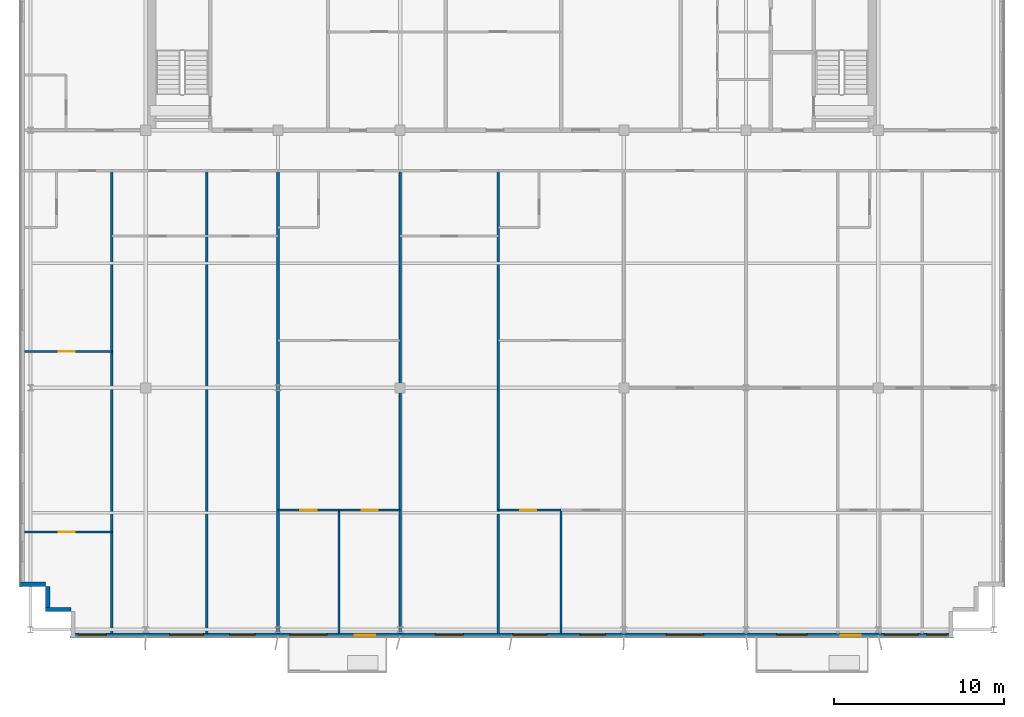
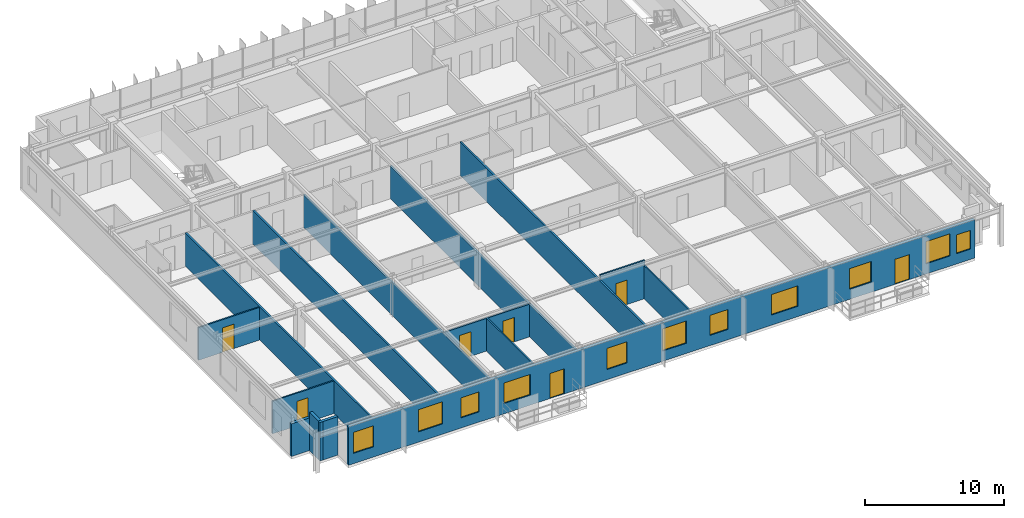
# One storey, part 16 of 23: 16 walls, 11 windows, 7 doors, 18 openings.
"""IFC4 building model written with IfcOpenShell, lengths in metres."""

from ifc_helpers import new_model, si_unit, direction, frame, frame_2d, origin, place, context, subcontext, project, spatial, rectangle, extrude, source, transform, mapped, material, layer, layer_set, type_object, element, fill, save


model = new_model("IFC4")

# Units and contexts
model_context = context("Model", 3, precision=1e-05, world=origin(), true_north=direction((0.0, 1.0)))
body_context = subcontext(model_context, "Body", "Model", "MODEL_VIEW")
ifc_project = project(units=[si_unit("LENGTHUNIT", "METRE"), si_unit("AREAUNIT", "SQUARE_METRE"), si_unit("VOLUMEUNIT", "CUBIC_METRE"), si_unit("PLANEANGLEUNIT", "RADIAN"), si_unit("MASSUNIT", "GRAM", prefix="KILO")], contexts=[model_context])

# Site, building, storey
site_placement = place(None, origin())
site = spatial("IfcSite", under=ifc_project, at=site_placement, CompositionType="ELEMENT")
building_placement = place(site_placement, origin())
building = spatial("IfcBuilding", under=site, at=building_placement, Name="Trelvane Seafront Commons", CompositionType="ELEMENT")
storey_placement = place(building_placement, frame((0.0, 0.0, 259.5)))
storey = spatial("IfcBuildingStorey", under=building, at=storey_placement, Name="L67", CompositionType="ELEMENT", Elevation=259.5)

# Walls
ifc_material_1 = material(Name="Precast concrete C40/50", Category="concrete")
ifc_layer_1 = layer(ifc_material_1, 0.239990234375, Name="ARCH-WALL-EXT240")
ifc_layer_set_1 = layer_set([ifc_layer_1], Name="Precast concrete C40/50")
wall_type_1 = type_object("IfcWallType", Name="ARCH-WALL-EXT240", PredefinedType="SOLIDWALL", material=ifc_layer_set_1)
for number, where, z_axis, x_axis, name in (
    (1, (11.199951171875, 5.1201171875, 0.0), (0.0, 0.0, 1.0), (-1.0, 0.0, 0.0), "EW-L67-01342"),
    (2, (9.820068359375, 5.0, 0.0), (0.0, 0.0, 1.0), (0.0, 1.0, 0.0), "EW-L67-01343"),
):
    element("IfcWall", number, at=place(storey_placement, frame(where, z_axis=z_axis, x_axis=x_axis)), inside=storey, type_object=wall_type_1, Name=name, PredefinedType="SOLIDWALL", context=body_context, shape_type="SweptSolid", body=[
        extrude(rectangle(XDim=1.5, YDim=0.239990234375, at=frame_2d((0.75, 0.0))), origin(), (0.0, 0.0, 1.0), 3.3701171875),
    ])
wall_1_placement = place(storey_placement, frame((9.699951171875, 6.6201171875, 0.0), z_axis=(0.0, 0.0, 1.0), x_axis=(-1.0, 0.0, 0.0)))
element("IfcWall", 3, at=wall_1_placement, inside=storey, type_object=wall_type_1, Name="EW-L67-01344", PredefinedType="SOLIDWALL", context=body_context, shape_type="SweptSolid", body=[
    extrude(rectangle(XDim=1.5, YDim=0.239990234375, at=frame_2d((0.75, 0.0))), origin(), (0.0, 0.0, 1.0), 2.8701171875),
])

# Wall, openings, windows, doors
wall_2_placement = place(storey_placement, frame((63.199951171875, 3.6201171875, 0.0), z_axis=(0.0, 0.0, 1.0), x_axis=(-1.0, 0.0, 0.0)))
wall_2 = element("IfcWall", 4, at=wall_2_placement, inside=storey, type_object=wall_type_1, Name="EW-L67-01359", PredefinedType="SOLIDWALL", context=body_context, shape_type="SweptSolid", body=[
    extrude(rectangle(XDim=52.0, YDim=0.239990234375, at=frame_2d((26.0, 0.0))), origin(), (0.0, 0.0, 1.0), 3.3701171875),
])
opening_1_placement = place(wall_2_placement, frame((0.344970703125, 0.0, 0.89990234375)))
opening_1 = element("IfcOpeningElement", 5, at=opening_1_placement, cuts=wall_2, Name="Opening W05", PredefinedType="OPENING", context=body_context, shape_type="SweptSolid", body=[
    extrude(rectangle(XDim=1.199951171875, YDim=1.64990234375, at=frame_2d((0.60009765625, 0.824951171875))), frame((0.0, 0.1298828125, 0.0), z_axis=(0.0, -1.0, 0.0), x_axis=(1.0, 0.0, 0.0)), (0.0, 0.0, 1.0), 0.260009765625),
])
opening_2_placement = place(wall_2_placement, frame((2.050048828125, 0.0, 0.89990234375)))
opening_2 = element("IfcOpeningElement", 6, at=opening_2_placement, cuts=wall_2, Name="Opening W06", PredefinedType="OPENING", context=body_context, shape_type="SweptSolid", body=[
    extrude(rectangle(XDim=2.0, YDim=1.949951171875, at=frame_2d((1.0, 0.97509765625))), frame((0.0, 0.1298828125, 0.0), z_axis=(0.0, -1.0, 0.0), x_axis=(1.0, 0.0, 0.0)), (0.0, 0.0, 1.0), 0.260009765625),
])
opening_3_placement = place(wall_2_placement, frame((5.419921875, 0.0, 0.0)))
opening_3 = element("IfcOpeningElement", 7, at=opening_3_placement, cuts=wall_2, Name="Opening BD-L67-136", PredefinedType="OPENING", context=body_context, shape_type="SweptSolid", body=[
    extrude(rectangle(XDim=1.199951171875, YDim=2.199951171875, at=frame_2d((0.60009765625, 1.10009765625))), frame((0.0, 0.1298828125, 0.0), z_axis=(0.0, -1.0, 0.0), x_axis=(1.0, 0.0, 0.0)), (0.0, 0.0, 1.0), 0.260009765625),
])
opening_4_placement = place(wall_2_placement, frame((8.60009765625, 0.0, 0.89990234375)))
opening_4 = element("IfcOpeningElement", 8, at=opening_4_placement, cuts=wall_2, Name="Opening W01", PredefinedType="OPENING", context=body_context, shape_type="SweptSolid", body=[
    extrude(rectangle(XDim=1.800048828125, YDim=1.800048828125, at=frame_2d((0.89990234375, 0.89990234375))), frame((0.0, 0.1298828125, 0.0), z_axis=(0.0, -1.0, 0.0), x_axis=(1.0, 0.0, 0.0)), (0.0, 0.0, 1.0), 0.260009765625),
])
opening_5_placement = place(wall_2_placement, frame((14.699951171875, 0.0, 0.89990234375)))
opening_5 = element("IfcOpeningElement", 9, at=opening_5_placement, cuts=wall_2, Name="Opening W02", PredefinedType="OPENING", context=body_context, shape_type="SweptSolid", body=[
    extrude(rectangle(XDim=2.199951171875, YDim=1.800048828125, at=frame_2d((1.10009765625, 0.89990234375))), frame((0.0, 0.1298828125, 0.0), z_axis=(0.0, -1.0, 0.0), x_axis=(1.0, 0.0, 0.0)), (0.0, 0.0, 1.0), 0.260009765625),
])
opening_6_placement = place(wall_2_placement, frame((20.5, 0.0, 0.89990234375)))
opening_6 = element("IfcOpeningElement", 10, at=opening_6_placement, cuts=wall_2, Name="Opening W03", PredefinedType="OPENING", context=body_context, shape_type="SweptSolid", body=[
    extrude(rectangle(XDim=1.5, YDim=1.75, at=frame_2d((0.75, 0.875))), frame((0.0, 0.1298828125, 0.0), z_axis=(0.0, -1.0, 0.0), x_axis=(1.0, 0.0, 0.0)), (0.0, 0.0, 1.0), 0.260009765625),
])
opening_7_placement = place(wall_2_placement, frame((23.949951171875, 0.0, 0.89990234375)))
opening_7 = element("IfcOpeningElement", 11, at=opening_7_placement, cuts=wall_2, Name="Opening W06", PredefinedType="OPENING", context=body_context, shape_type="SweptSolid", body=[
    extrude(rectangle(XDim=2.0, YDim=1.949951171875, at=frame_2d((1.0, 0.97509765625))), frame((0.0, 0.1298828125, 0.0), z_axis=(0.0, -1.0, 0.0), x_axis=(1.0, 0.0, 0.0)), (0.0, 0.0, 1.0), 0.260009765625),
])
opening_8_placement = place(wall_2_placement, frame((28.875, 0.0, 0.89990234375)))
opening_8 = element("IfcOpeningElement", 12, at=opening_8_placement, cuts=wall_2, Name="Opening W07", PredefinedType="OPENING", context=body_context, shape_type="SweptSolid", body=[
    extrude(rectangle(XDim=1.64990234375, YDim=1.85009765625, at=frame_2d((0.824951171875, 0.925048828125))), frame((0.0, 0.1298828125, 0.0), z_axis=(0.0, -1.0, 0.0), x_axis=(1.0, 0.0, 0.0)), (0.0, 0.0, 1.0), 0.260009765625),
])
opening_9_placement = place(wall_2_placement, frame((34.077880859375, 0.0, 0.0)))
opening_9 = element("IfcOpeningElement", 13, at=opening_9_placement, cuts=wall_2, Name="Opening BD-L67-137", PredefinedType="OPENING", context=body_context, shape_type="SweptSolid", body=[
    extrude(rectangle(XDim=1.199951171875, YDim=2.199951171875, at=frame_2d((0.60009765625, 1.10009765625))), frame((0.0, 0.1298828125, 0.0), z_axis=(0.0, -1.0, 0.0), x_axis=(1.0, 0.0, 0.0)), (0.0, 0.0, 1.0), 0.260009765625),
])
opening_10_placement = place(wall_2_placement, frame((36.89990234375, 0.0, 0.89990234375)))
opening_10 = element("IfcOpeningElement", 14, at=opening_10_placement, cuts=wall_2, Name="Opening W02", PredefinedType="OPENING", context=body_context, shape_type="SweptSolid", body=[
    extrude(rectangle(XDim=2.199951171875, YDim=1.800048828125, at=frame_2d((1.10009765625, 0.89990234375))), frame((0.0, 0.1298828125, 0.0), z_axis=(0.0, -1.0, 0.0), x_axis=(1.0, 0.0, 0.0)), (0.0, 0.0, 1.0), 0.260009765625),
])
opening_11_placement = place(wall_2_placement, frame((41.14990234375, 0.0, 0.89990234375)))
opening_11 = element("IfcOpeningElement", 15, at=opening_11_placement, cuts=wall_2, Name="Opening W03", PredefinedType="OPENING", context=body_context, shape_type="SweptSolid", body=[
    extrude(rectangle(XDim=1.5, YDim=1.75, at=frame_2d((0.75, 0.875))), frame((0.0, 0.1298828125, 0.0), z_axis=(0.0, -1.0, 0.0), x_axis=(1.0, 0.0, 0.0)), (0.0, 0.0, 1.0), 0.260009765625),
])
opening_12_placement = place(wall_2_placement, frame((44.18994140625, 0.0, 0.89990234375)))
opening_12 = element("IfcOpeningElement", 16, at=opening_12_placement, cuts=wall_2, Name="Opening W06", PredefinedType="OPENING", context=body_context, shape_type="SweptSolid", body=[
    extrude(rectangle(XDim=2.0, YDim=1.949951171875, at=frame_2d((1.0, 0.97509765625))), frame((0.0, 0.1298828125, 0.0), z_axis=(0.0, -1.0, 0.0), x_axis=(1.0, 0.0, 0.0)), (0.0, 0.0, 1.0), 0.260009765625),
])
opening_13_placement = place(wall_2_placement, frame((49.929931640625, 0.0, 0.89990234375)))
opening_13 = element("IfcOpeningElement", 17, at=opening_13_placement, cuts=wall_2, Name="Opening W07", PredefinedType="OPENING", context=body_context, shape_type="SweptSolid", body=[
    extrude(rectangle(XDim=1.64990234375, YDim=1.85009765625, at=frame_2d((0.824951171875, 0.925048828125))), frame((0.0, 0.1298828125, 0.0), z_axis=(0.0, -1.0, 0.0), x_axis=(1.0, 0.0, 0.0)), (0.0, 0.0, 1.0), 0.260009765625),
])
ifc_material_2 = material(Name="Low-E coastal double glazing", Category="glass")
window_type_1 = type_object("IfcWindowType", Name="ARCH-WIN-W05", PartitioningType="SINGLE_PANEL", PredefinedType="WINDOW", material=ifc_material_2)
shared_shape_1 = source(origin(), body_context, "Body", "SweptSolid", [
    extrude(rectangle(XDim=1.199951171875, YDim=1.64990234375, at=frame_2d((0.60009765625, 0.824951171875))), frame((0.0, 0.030029296875, 0.0), z_axis=(0.0, -1.0, 0.0), x_axis=(1.0, 0.0, 0.0)), (0.0, 0.0, 1.0), 0.06005859375),
])
window_1_placement = place(opening_1_placement, origin())
window_1 = element("IfcWindow", 18, at=window_1_placement, inside=storey, type_object=window_type_1, Name="WIN-L67-01609", OverallHeight=1.64990234375, OverallWidth=1.199951171875, PartitioningType="SINGLE_PANEL", PredefinedType="WINDOW", context=body_context, shape_type="MappedRepresentation", body=[
    mapped(shared_shape_1, transform((0.0, 0.0, 0.0), x_axis=(1.0, 0.0, 0.0), y_axis=(0.0, 1.0, 0.0), z_axis=(0.0, 0.0, 1.0), scale=1.0)),
])
fill(opening_1, window_1)
ifc_material_3 = material(Name="Powder-coated aluminium frame", Category="aluminium")
door_type_1 = type_object("IfcDoorType", Name="ARCH-DR-BAL1200", OperationType="NOTDEFINED", PredefinedType="DOOR", material=ifc_material_3)
shared_shape_2 = source(origin(), body_context, "Body", "SweptSolid", [
    extrude(rectangle(XDim=1.199951171875, YDim=2.199951171875, at=frame_2d((0.60009765625, 1.10009765625))), frame((0.0, 0.02490234375, 0.0), z_axis=(0.0, -1.0, 0.0), x_axis=(1.0, 0.0, 0.0)), (0.0, 0.0, 1.0), 0.050048828125),
])
door_1_placement = place(opening_3_placement, origin())
door_1 = element("IfcDoor", 19, at=door_1_placement, inside=storey, type_object=door_type_1, Name="L67 Balcony Terrace Access Door", OperationType="SINGLE_SWING_LEFT", OverallHeight=2.199951171875, OverallWidth=1.199951171875, PredefinedType="DOOR", context=body_context, shape_type="MappedRepresentation", body=[
    mapped(shared_shape_2, transform((0.0, 0.0, 0.0), x_axis=(1.0, 0.0, 0.0), y_axis=(0.0, 1.0, 0.0), z_axis=(0.0, 0.0, 1.0), scale=1.0)),
])
fill(opening_3, door_1)
door_2_placement = place(opening_9_placement, origin())
door_2 = element("IfcDoor", 20, at=door_2_placement, inside=storey, type_object=door_type_1, Name="L67 Balcony Terrace Access Door", OperationType="SINGLE_SWING_LEFT", OverallHeight=2.199951171875, OverallWidth=1.199951171875, PredefinedType="DOOR", context=body_context, shape_type="MappedRepresentation", body=[
    mapped(shared_shape_2, transform((0.0, 0.0, 0.0), x_axis=(1.0, 0.0, 0.0), y_axis=(0.0, 1.0, 0.0), z_axis=(0.0, 0.0, 1.0), scale=1.0)),
])
fill(opening_9, door_2)
window_type_2 = type_object("IfcWindowType", Name="ARCH-WIN-W02", PartitioningType="SINGLE_PANEL", PredefinedType="WINDOW", material=ifc_material_2)
shared_shape_3 = source(origin(), body_context, "Body", "SweptSolid", [
    extrude(rectangle(XDim=2.199951171875, YDim=1.800048828125, at=frame_2d((1.10009765625, 0.89990234375))), frame((0.0, 0.030029296875, 0.0), z_axis=(0.0, -1.0, 0.0), x_axis=(1.0, 0.0, 0.0)), (0.0, 0.0, 1.0), 0.06005859375),
])
window_2_placement = place(opening_5_placement, origin())
window_2 = element("IfcWindow", 21, at=window_2_placement, inside=storey, type_object=window_type_2, Name="WIN-L67-01612", OverallHeight=1.800048828125, OverallWidth=2.199951171875, PartitioningType="SINGLE_PANEL", PredefinedType="WINDOW", context=body_context, shape_type="MappedRepresentation", body=[
    mapped(shared_shape_3, transform((0.0, 0.0, 0.0), x_axis=(1.0, 0.0, 0.0), y_axis=(0.0, 1.0, 0.0), z_axis=(0.0, 0.0, 1.0), scale=1.0)),
])
fill(opening_5, window_2)
window_3_placement = place(opening_10_placement, origin())
window_3 = element("IfcWindow", 22, at=window_3_placement, inside=storey, type_object=window_type_2, Name="WIN-L67-01616", OverallHeight=1.800048828125, OverallWidth=2.199951171875, PartitioningType="SINGLE_PANEL", PredefinedType="WINDOW", context=body_context, shape_type="MappedRepresentation", body=[
    mapped(shared_shape_3, transform((0.0, 0.0, 0.0), x_axis=(1.0, 0.0, 0.0), y_axis=(0.0, 1.0, 0.0), z_axis=(0.0, 0.0, 1.0), scale=1.0)),
])
fill(opening_10, window_3)
window_type_3 = type_object("IfcWindowType", Name="ARCH-WIN-W03", PartitioningType="SINGLE_PANEL", PredefinedType="WINDOW", material=ifc_material_2)
shared_shape_4 = source(origin(), body_context, "Body", "SweptSolid", [
    extrude(rectangle(XDim=1.5, YDim=1.75, at=frame_2d((0.75, 0.875))), frame((0.0, 0.030029296875, 0.0), z_axis=(0.0, -1.0, 0.0), x_axis=(1.0, 0.0, 0.0)), (0.0, 0.0, 1.0), 0.06005859375),
])
window_4_placement = place(opening_6_placement, origin())
window_4 = element("IfcWindow", 23, at=window_4_placement, inside=storey, type_object=window_type_3, Name="WIN-L67-01613", OverallHeight=1.75, OverallWidth=1.5, PartitioningType="SINGLE_PANEL", PredefinedType="WINDOW", context=body_context, shape_type="MappedRepresentation", body=[
    mapped(shared_shape_4, transform((0.0, 0.0, 0.0), x_axis=(1.0, 0.0, 0.0), y_axis=(0.0, 1.0, 0.0), z_axis=(0.0, 0.0, 1.0), scale=1.0)),
])
fill(opening_6, window_4)
window_5_placement = place(opening_11_placement, origin())
window_5 = element("IfcWindow", 24, at=window_5_placement, inside=storey, type_object=window_type_3, Name="WIN-L67-01617", OverallHeight=1.75, OverallWidth=1.5, PartitioningType="SINGLE_PANEL", PredefinedType="WINDOW", context=body_context, shape_type="MappedRepresentation", body=[
    mapped(shared_shape_4, transform((0.0, 0.0, 0.0), x_axis=(1.0, 0.0, 0.0), y_axis=(0.0, 1.0, 0.0), z_axis=(0.0, 0.0, 1.0), scale=1.0)),
])
fill(opening_11, window_5)
window_type_4 = type_object("IfcWindowType", Name="ARCH-WIN-W06", PartitioningType="SINGLE_PANEL", PredefinedType="WINDOW", material=ifc_material_2)
shared_shape_5 = source(origin(), body_context, "Body", "SweptSolid", [
    extrude(rectangle(XDim=2.0, YDim=1.949951171875, at=frame_2d((1.0, 0.97509765625))), frame((0.0, 0.030029296875, 0.0), z_axis=(0.0, -1.0, 0.0), x_axis=(1.0, 0.0, 0.0)), (0.0, 0.0, 1.0), 0.06005859375),
])
window_6_placement = place(opening_2_placement, origin())
window_6 = element("IfcWindow", 25, at=window_6_placement, inside=storey, type_object=window_type_4, Name="WIN-L67-01610", OverallHeight=1.949951171875, OverallWidth=2.0, PartitioningType="SINGLE_PANEL", PredefinedType="WINDOW", context=body_context, shape_type="MappedRepresentation", body=[
    mapped(shared_shape_5, transform((0.0, 0.0, 0.0), x_axis=(1.0, 0.0, 0.0), y_axis=(0.0, 1.0, 0.0), z_axis=(0.0, 0.0, 1.0), scale=1.0)),
])
fill(opening_2, window_6)
window_7_placement = place(opening_7_placement, origin())
window_7 = element("IfcWindow", 26, at=window_7_placement, inside=storey, type_object=window_type_4, Name="WIN-L67-01614", OverallHeight=1.949951171875, OverallWidth=2.0, PartitioningType="SINGLE_PANEL", PredefinedType="WINDOW", context=body_context, shape_type="MappedRepresentation", body=[
    mapped(shared_shape_5, transform((0.0, 0.0, 0.0), x_axis=(1.0, 0.0, 0.0), y_axis=(0.0, 1.0, 0.0), z_axis=(0.0, 0.0, 1.0), scale=1.0)),
])
fill(opening_7, window_7)
window_8_placement = place(opening_12_placement, origin())
window_8 = element("IfcWindow", 27, at=window_8_placement, inside=storey, type_object=window_type_4, Name="WIN-L67-01618", OverallHeight=1.949951171875, OverallWidth=2.0, PartitioningType="SINGLE_PANEL", PredefinedType="WINDOW", context=body_context, shape_type="MappedRepresentation", body=[
    mapped(shared_shape_5, transform((0.0, 0.0, 0.0), x_axis=(1.0, 0.0, 0.0), y_axis=(0.0, 1.0, 0.0), z_axis=(0.0, 0.0, 1.0), scale=1.0)),
])
fill(opening_12, window_8)
window_type_5 = type_object("IfcWindowType", Name="ARCH-WIN-W01", PartitioningType="SINGLE_PANEL", PredefinedType="WINDOW", material=ifc_material_2)
shared_shape_6 = source(origin(), body_context, "Body", "SweptSolid", [
    extrude(rectangle(XDim=1.800048828125, YDim=1.800048828125, at=frame_2d((0.89990234375, 0.89990234375))), frame((0.0, 0.030029296875, 0.0), z_axis=(0.0, -1.0, 0.0), x_axis=(1.0, 0.0, 0.0)), (0.0, 0.0, 1.0), 0.06005859375),
])
window_9_placement = place(opening_4_placement, origin())
window_9 = element("IfcWindow", 28, at=window_9_placement, inside=storey, type_object=window_type_5, Name="WIN-L67-01611", OverallHeight=1.800048828125, OverallWidth=1.800048828125, PartitioningType="SINGLE_PANEL", PredefinedType="WINDOW", context=body_context, shape_type="MappedRepresentation", body=[
    mapped(shared_shape_6, transform((0.0, 0.0, 0.0), x_axis=(1.0, 0.0, 0.0), y_axis=(0.0, 1.0, 0.0), z_axis=(0.0, 0.0, 1.0), scale=1.0)),
])
fill(opening_4, window_9)
window_type_6 = type_object("IfcWindowType", Name="ARCH-WIN-W07", PartitioningType="SINGLE_PANEL", PredefinedType="WINDOW", material=ifc_material_2)
shared_shape_7 = source(origin(), body_context, "Body", "SweptSolid", [
    extrude(rectangle(XDim=1.64990234375, YDim=1.85009765625, at=frame_2d((0.824951171875, 0.925048828125))), frame((0.0, 0.030029296875, 0.0), z_axis=(0.0, -1.0, 0.0), x_axis=(1.0, 0.0, 0.0)), (0.0, 0.0, 1.0), 0.06005859375),
])
window_10_placement = place(opening_8_placement, origin())
window_10 = element("IfcWindow", 29, at=window_10_placement, inside=storey, type_object=window_type_6, Name="WIN-L67-01615", OverallHeight=1.85009765625, OverallWidth=1.64990234375, PartitioningType="SINGLE_PANEL", PredefinedType="WINDOW", context=body_context, shape_type="MappedRepresentation", body=[
    mapped(shared_shape_7, transform((0.0, 0.0, 0.0), x_axis=(1.0, 0.0, 0.0), y_axis=(0.0, 1.0, 0.0), z_axis=(0.0, 0.0, 1.0), scale=1.0)),
])
fill(opening_8, window_10)
window_11_placement = place(opening_13_placement, origin())
window_11 = element("IfcWindow", 30, at=window_11_placement, inside=storey, type_object=window_type_6, Name="WIN-L67-01619", OverallHeight=1.85009765625, OverallWidth=1.64990234375, PartitioningType="SINGLE_PANEL", PredefinedType="WINDOW", context=body_context, shape_type="MappedRepresentation", body=[
    mapped(shared_shape_7, transform((0.0, 0.0, 0.0), x_axis=(1.0, 0.0, 0.0), y_axis=(0.0, 1.0, 0.0), z_axis=(0.0, 0.0, 1.0), scale=1.0)),
])
fill(opening_13, window_11)

# Wall, opening, door
ifc_material_4 = material(Name="Gypsum Drywall Acoustic Partition")
ifc_layer_2 = layer(ifc_material_4, 0.1201171875, Name="ARCH-WALL-PART120")
ifc_layer_set_2 = layer_set([ifc_layer_2], Name="Gypsum Drywall Acoustic Partition")
wall_type_2 = type_object("IfcWallType", Name="ARCH-WALL-PART120", PredefinedType="PARTITIONING", material=ifc_layer_set_2)
wall_3_placement = place(storey_placement, frame((8.43994140625, 20.35009765625, 0.0), z_axis=(0.0, 0.0, 1.0), x_axis=(1.0, 0.0, 0.0)))
wall_3 = element("IfcWall", 31, at=wall_3_placement, inside=storey, type_object=wall_type_2, Name="W-L67-U1-KL-055", PredefinedType="PARTITIONING", context=body_context, shape_type="SweptSolid", body=[
    extrude(rectangle(XDim=5.16015625, YDim=0.1201171875, at=frame_2d((2.580078125, 0.0))), origin(), (0.0, 0.0, 1.0), 2.8701171875),
])
opening_14_placement = place(wall_3_placement, frame((2.013916015625, 0.0, 0.0)))
opening_14 = element("IfcOpeningElement", 32, at=opening_14_placement, cuts=wall_3, Name="Opening D-L67-31", PredefinedType="OPENING", context=body_context, shape_type="SweptSolid", body=[
    extrude(rectangle(XDim=0.949951171875, YDim=2.14990234375, at=frame_2d((0.47509765625, 1.074951171875))), frame((0.0, 0.070068359375, 0.0), z_axis=(0.0, -1.0, 0.0), x_axis=(1.0, 0.0, 0.0)), (0.0, 0.0, 1.0), 0.14013671875),
])
ifc_material_5 = material(Name="Acoustic timber door leaf", Category="wood")
door_type_2 = type_object("IfcDoorType", Name="ARCH-DR-INT950", OperationType="NOTDEFINED", PredefinedType="DOOR", material=ifc_material_5)
shared_shape_8 = source(origin(), body_context, "Body", "SweptSolid", [
    extrude(rectangle(XDim=0.949951171875, YDim=2.14990234375, at=frame_2d((0.47509765625, 1.074951171875))), frame((0.0, 0.02490234375, 0.0), z_axis=(0.0, -1.0, 0.0), x_axis=(1.0, 0.0, 0.0)), (0.0, 0.0, 1.0), 0.050048828125),
])
door_3_placement = place(opening_14_placement, origin())
door_3 = element("IfcDoor", 33, at=door_3_placement, inside=storey, type_object=door_type_2, Name="L67 Door 31", OperationType="SINGLE_SWING_LEFT", OverallHeight=2.14990234375, OverallWidth=0.949951171875, PredefinedType="DOOR", context=body_context, shape_type="MappedRepresentation", body=[
    mapped(shared_shape_8, transform((0.0, 0.0, 0.0), x_axis=(1.0, 0.0, 0.0), y_axis=(0.0, 1.0, 0.0), z_axis=(0.0, 0.0, 1.0), scale=1.0)),
])
fill(opening_14, door_3)

wall_4_placement = place(storey_placement, frame((8.43994140625, 9.699951171875, 0.0), z_axis=(0.0, 0.0, 1.0), x_axis=(1.0, 0.0, 0.0)))
wall_4 = element("IfcWall", 34, at=wall_4_placement, inside=storey, type_object=wall_type_2, Name="W-L67-U1-YM-1-059", PredefinedType="PARTITIONING", context=body_context, shape_type="SweptSolid", body=[
    extrude(rectangle(XDim=5.16015625, YDim=0.1201171875, at=frame_2d((2.580078125, 0.0))), origin(), (0.0, 0.0, 1.0), 2.8701171875),
])
opening_15_placement = place(wall_4_placement, frame((2.013916015625, 0.0, 0.0)))
opening_15 = element("IfcOpeningElement", 35, at=opening_15_placement, cuts=wall_4, Name="Opening D-L67-34", PredefinedType="OPENING", context=body_context, shape_type="SweptSolid", body=[
    extrude(rectangle(XDim=0.949951171875, YDim=2.14990234375, at=frame_2d((0.47509765625, 1.074951171875))), frame((0.0, 0.070068359375, 0.0), z_axis=(0.0, -1.0, 0.0), x_axis=(1.0, 0.0, 0.0)), (0.0, 0.0, 1.0), 0.14013671875),
])
door_4_placement = place(opening_15_placement, origin())
door_4 = element("IfcDoor", 36, at=door_4_placement, inside=storey, type_object=door_type_2, Name="L67 Door 34", OperationType="SINGLE_SWING_RIGHT", OverallHeight=2.14990234375, OverallWidth=0.949951171875, PredefinedType="DOOR", context=body_context, shape_type="MappedRepresentation", body=[
    mapped(shared_shape_8, transform((0.0, 0.0, 0.0), x_axis=(1.0, 0.0, 0.0), y_axis=(0.0, 1.0, 0.0), z_axis=(0.0, 0.0, 1.0), scale=1.0)),
])
fill(opening_15, door_4)

wall_5_placement = place(storey_placement, frame((23.39990234375, 11.0, 0.0), z_axis=(0.0, 0.0, 1.0), x_axis=(1.0, 0.0, 0.0)))
wall_5 = element("IfcWall", 37, at=wall_5_placement, inside=storey, type_object=wall_type_2, Name="W-L67-U4-YM-1-068", PredefinedType="PARTITIONING", context=body_context, shape_type="SweptSolid", body=[
    extrude(rectangle(XDim=3.60009765625, YDim=0.1201171875, at=frame_2d((1.800048828125, 0.0))), origin(), (0.0, 0.0, 1.0), 2.8701171875),
])
opening_16_placement = place(wall_5_placement, frame((1.324951171875, 0.0, 0.0)))
opening_16 = element("IfcOpeningElement", 38, at=opening_16_placement, cuts=wall_5, Name="Opening D-L67-42", PredefinedType="OPENING", context=body_context, shape_type="SweptSolid", body=[
    extrude(rectangle(XDim=0.949951171875, YDim=2.14990234375, at=frame_2d((0.47509765625, 1.074951171875))), frame((0.0, 0.070068359375, 0.0), z_axis=(0.0, -1.0, 0.0), x_axis=(1.0, 0.0, 0.0)), (0.0, 0.0, 1.0), 0.14013671875),
])
door_5_placement = place(opening_16_placement, origin())
door_5 = element("IfcDoor", 39, at=door_5_placement, inside=storey, type_object=door_type_2, Name="L67 Door 42", OperationType="SINGLE_SWING_RIGHT", OverallHeight=2.14990234375, OverallWidth=0.949951171875, PredefinedType="DOOR", context=body_context, shape_type="MappedRepresentation", body=[
    mapped(shared_shape_8, transform((0.0, 0.0, 0.0), x_axis=(1.0, 0.0, 0.0), y_axis=(0.0, 1.0, 0.0), z_axis=(0.0, 0.0, 1.0), scale=1.0)),
])
fill(opening_16, door_5)

wall_6_placement = place(storey_placement, frame((27.0, 11.0, 0.0), z_axis=(0.0, 0.0, 1.0), x_axis=(1.0, 0.0, 0.0)))
wall_6 = element("IfcWall", 40, at=wall_6_placement, inside=storey, type_object=wall_type_2, Name="W-L67-U4-YM-2-069", PredefinedType="PARTITIONING", context=body_context, shape_type="SweptSolid", body=[
    extrude(rectangle(XDim=3.60009765625, YDim=0.1201171875, at=frame_2d((1.800048828125, 0.0))), origin(), (0.0, 0.0, 1.0), 2.8701171875),
])
opening_17_placement = place(wall_6_placement, frame((1.324951171875, 0.0, 0.0)))
opening_17 = element("IfcOpeningElement", 41, at=opening_17_placement, cuts=wall_6, Name="Opening D-L67-43", PredefinedType="OPENING", context=body_context, shape_type="SweptSolid", body=[
    extrude(rectangle(XDim=0.949951171875, YDim=2.14990234375, at=frame_2d((0.47509765625, 1.074951171875))), frame((0.0, 0.070068359375, 0.0), z_axis=(0.0, -1.0, 0.0), x_axis=(1.0, 0.0, 0.0)), (0.0, 0.0, 1.0), 0.14013671875),
])
door_6_placement = place(opening_17_placement, origin())
door_6 = element("IfcDoor", 42, at=door_6_placement, inside=storey, type_object=door_type_2, Name="L67 Door 43", OperationType="SINGLE_SWING_LEFT", OverallHeight=2.14990234375, OverallWidth=0.949951171875, PredefinedType="DOOR", context=body_context, shape_type="MappedRepresentation", body=[
    mapped(shared_shape_8, transform((0.0, 0.0, 0.0), x_axis=(1.0, 0.0, 0.0), y_axis=(0.0, 1.0, 0.0), z_axis=(0.0, 0.0, 1.0), scale=1.0)),
])
fill(opening_17, door_6)

# Wall
wall_7_placement = place(storey_placement, frame((27.0, 3.72509765625, 0.0), z_axis=(0.0, 0.0, 1.0), x_axis=(0.0, 1.0, 0.0)))
element("IfcWall", 43, at=wall_7_placement, inside=storey, type_object=wall_type_2, Name="W-L67-U4-BDV-1-070", PredefinedType="PARTITIONING", context=body_context, shape_type="SweptSolid", body=[
    extrude(rectangle(XDim=7.27490234375, YDim=0.1201171875, at=frame_2d((3.637451171875, 0.0))), origin(), (0.0, 0.0, 1.0), 2.919921875),
])

# Wall, opening, door
wall_8_placement = place(storey_placement, frame((36.39990234375, 11.0, 0.0), z_axis=(0.0, 0.0, 1.0), x_axis=(1.0, 0.0, 0.0)))
wall_8 = element("IfcWall", 44, at=wall_8_placement, inside=storey, type_object=wall_type_2, Name="W-L67-U6-YM-1-077", PredefinedType="PARTITIONING", context=body_context, shape_type="SweptSolid", body=[
    extrude(rectangle(XDim=3.7001953125, YDim=0.1201171875, at=frame_2d((1.85009765625, 0.0))), origin(), (0.0, 0.0, 1.0), 3.3701171875),
])
opening_18_placement = place(wall_8_placement, frame((1.284912109375, 0.0, 0.0)))
opening_18 = element("IfcOpeningElement", 45, at=opening_18_placement, cuts=wall_8, Name="Opening D-L67-49", PredefinedType="OPENING", context=body_context, shape_type="SweptSolid", body=[
    extrude(rectangle(XDim=0.949951171875, YDim=2.14990234375, at=frame_2d((0.47509765625, 1.074951171875))), frame((0.0, 0.070068359375, 0.0), z_axis=(0.0, -1.0, 0.0), x_axis=(1.0, 0.0, 0.0)), (0.0, 0.0, 1.0), 0.14013671875),
])
door_7_placement = place(opening_18_placement, origin())
door_7 = element("IfcDoor", 46, at=door_7_placement, inside=storey, type_object=door_type_2, Name="L67 Door 49", OperationType="SINGLE_SWING_LEFT", OverallHeight=2.14990234375, OverallWidth=0.949951171875, PredefinedType="DOOR", context=body_context, shape_type="MappedRepresentation", body=[
    mapped(shared_shape_8, transform((0.0, 0.0, 0.0), x_axis=(1.0, 0.0, 0.0), y_axis=(0.0, 1.0, 0.0), z_axis=(0.0, 0.0, 1.0), scale=1.0)),
])
fill(opening_18, door_7)

# Walls
wall_9_placement = place(storey_placement, frame((40.10009765625, 3.72509765625, 0.0), z_axis=(0.0, 0.0, 1.0), x_axis=(0.0, 1.0, 0.0)))
element("IfcWall", 47, at=wall_9_placement, inside=storey, type_object=wall_type_2, Name="W-L67-U6-BDV-1-079", PredefinedType="PARTITIONING", context=body_context, shape_type="SweptSolid", body=[
    extrude(rectangle(XDim=7.27490234375, YDim=0.1201171875, at=frame_2d((3.637451171875, 0.0))), origin(), (0.0, 0.0, 1.0), 2.919921875),
])
ifc_layer_3 = layer(ifc_material_4, 0.14990234375, Name="ARCH-WALL-PART150")
ifc_layer_set_3 = layer_set([ifc_layer_3], Name="Gypsum Drywall Acoustic Partition")
wall_type_3 = type_object("IfcWallType", Name="ARCH-WALL-PART150", PredefinedType="PARTITIONING", material=ifc_layer_set_3)
for number, where, z_axis, x_axis, name in (
    (48, (13.60009765625, 3.72509765625, 0.0), (0.0, 0.0, 1.0), (0.0, 1.0, 0.0), "W-L67-PW-1-046"),
    (49, (19.199951171875, 3.72509765625, 0.0), (0.0, 0.0, 1.0), (0.0, 1.0, 0.0), "W-L67-PW-2-047"),
):
    element("IfcWall", number, at=place(storey_placement, frame(where, z_axis=z_axis, x_axis=x_axis)), inside=storey, type_object=wall_type_3, Name=name, PredefinedType="PARTITIONING", context=body_context, shape_type="SweptSolid", body=[
        extrude(rectangle(XDim=27.27490234375, YDim=0.14990234375, at=frame_2d((13.637451171875, 0.0))), origin(), (0.0, 0.0, 1.0), 2.919921875),
    ])
for number, where, z_axis, x_axis, name in (
    (50, (23.39990234375, 3.72509765625, 0.0), (0.0, 0.0, 1.0), (0.0, 1.0, 0.0), "W-L67-PW-3-048"),
    (51, (30.60009765625, 3.72509765625, 0.0), (0.0, 0.0, 1.0), (0.0, 1.0, 0.0), "W-L67-PW-4-049"),
):
    element("IfcWall", number, at=place(storey_placement, frame(where, z_axis=z_axis, x_axis=x_axis)), inside=storey, type_object=wall_type_3, Name=name, PredefinedType="PARTITIONING", context=body_context, shape_type="SweptSolid", body=[
        extrude(rectangle(XDim=27.27490234375, YDim=0.14990234375, at=frame_2d((13.637451171875, 0.0))), origin(), (0.0, 0.0, 1.0), 2.8701171875),
    ])
wall_10_placement = place(storey_placement, frame((36.39990234375, 3.72509765625, 0.0), z_axis=(0.0, 0.0, 1.0), x_axis=(0.0, 1.0, 0.0)))
element("IfcWall", 52, at=wall_10_placement, inside=storey, type_object=wall_type_3, Name="W-L67-PW-5-050", PredefinedType="PARTITIONING", context=body_context, shape_type="SweptSolid", body=[
    extrude(rectangle(XDim=27.27490234375, YDim=0.14990234375, at=frame_2d((13.637451171875, 0.0))), origin(), (0.0, 0.0, 1.0), 2.919921875),
])

save(model, "model.ifc")
